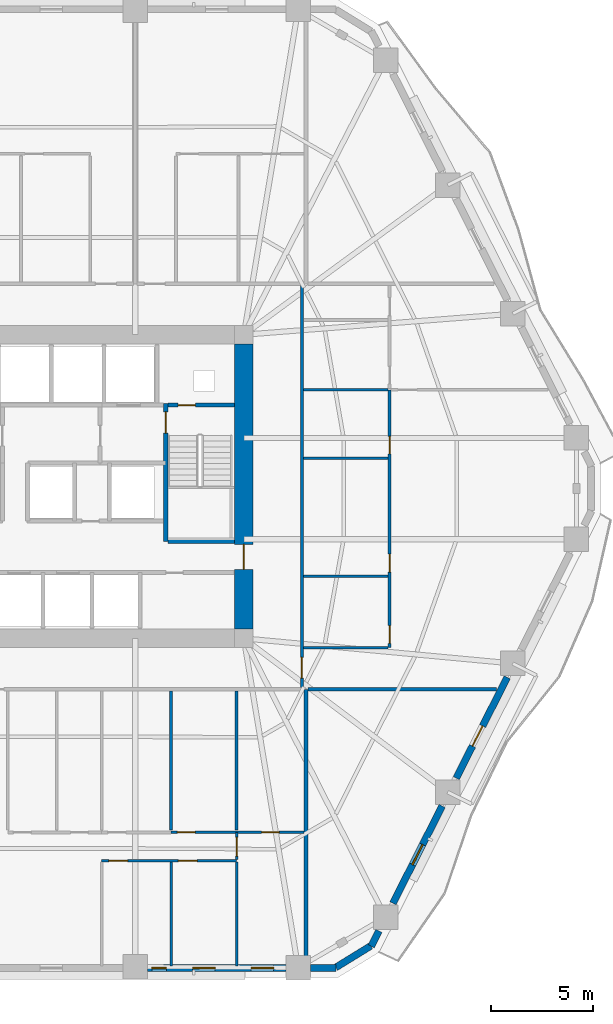
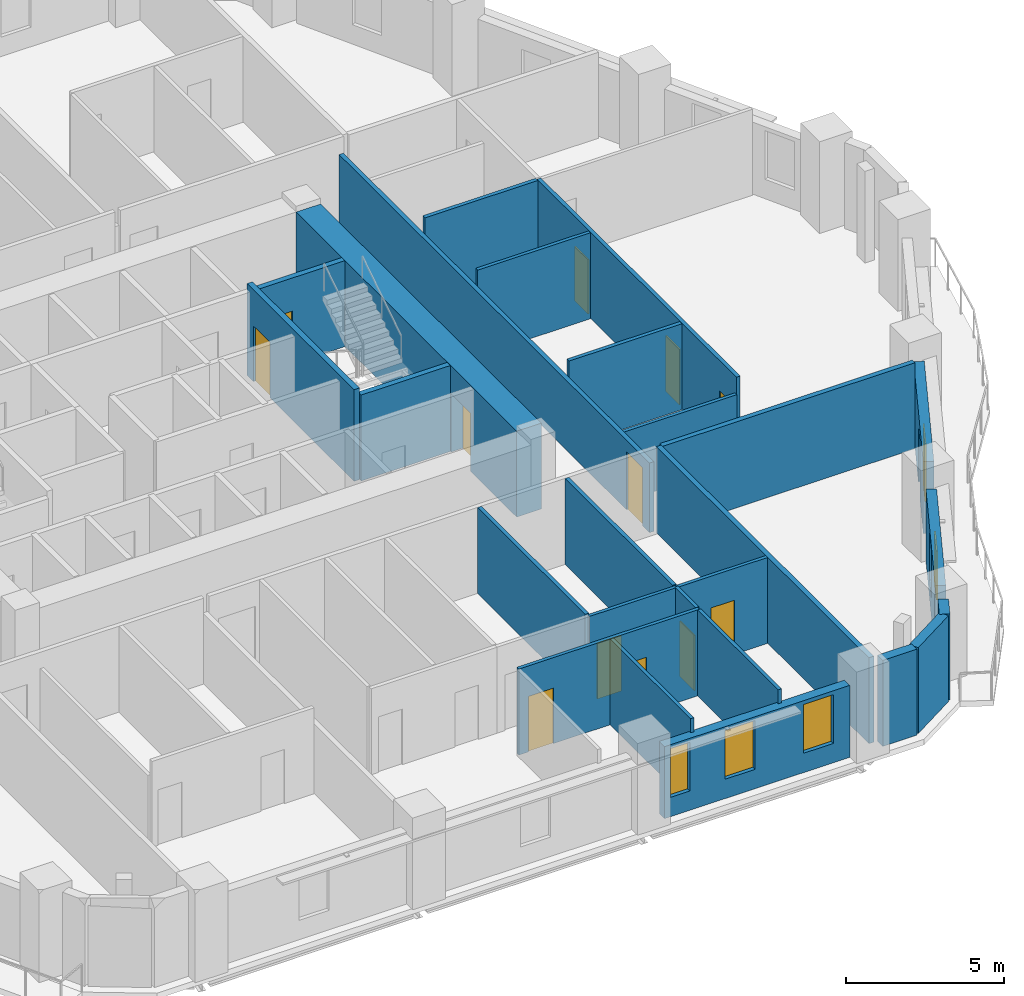
# One storey, part 6 of 14: 25 walls, 13 doors, 4 windows, 17 openings.
"""IFC4 building model written with IfcOpenShell, lengths in metres."""

from ifc_helpers import new_model, si_unit, direction, frame, frame_2d, origin, place, context, subcontext, project, spatial, rectangle, extrude, material, layer, layer_set, type_object, element, fill, save


model = new_model("IFC4")

# Units and contexts
model_context = context("Model", 3, precision=1e-05, world=origin(), true_north=direction((0.0, 1.0)))
body_context = subcontext(model_context, "Body", "Model", "MODEL_VIEW")
ifc_project = project(units=[si_unit("LENGTHUNIT", "METRE"), si_unit("AREAUNIT", "SQUARE_METRE"), si_unit("VOLUMEUNIT", "CUBIC_METRE"), si_unit("PLANEANGLEUNIT", "RADIAN"), si_unit("MASSUNIT", "GRAM", prefix="KILO")], contexts=[model_context])

# Site, building, storey
site_placement = place(None, origin())
site = spatial("IfcSite", under=ifc_project, at=site_placement, CompositionType="ELEMENT")
building_placement = place(site_placement, origin())
building = spatial("IfcBuilding", under=site, at=building_placement, Name="Cinnabar Lancet Tower", CompositionType="ELEMENT")
storey_placement = place(building_placement, frame((0.0, 0.0, 35.550048828125)))
storey = spatial("IfcBuildingStorey", under=building, at=storey_placement, Name="L08", CompositionType="ELEMENT", Elevation=35.550048828125)

# Wall, opening, door
ifc_material_1 = material(Name="Acoustic twin-stud gypsum partition", Category="gypsum")
ifc_layer_1 = layer(ifc_material_1, 0.159912109375)
ifc_layer_set_1 = layer_set([ifc_layer_1], Name="Acoustic twin-stud gypsum partition")
wall_type_1 = type_object("IfcWallType", Name="ARC-WL-CORR-160", PredefinedType="PARTITIONING", material=ifc_layer_set_1)
wall_1_placement = place(storey_placement, frame((44.699951171875, 16.044921875, 0.0), z_axis=(0.0, 0.0, 1.0), x_axis=(0.0, 1.0, 0.0)))
wall_1 = element("IfcWall", 1, at=wall_1_placement, inside=storey, type_object=wall_type_1, Name="UW-L08-E01-COR", PredefinedType="PARTITIONING", context=body_context, shape_type="SweptSolid", body=[
    extrude(rectangle(XDim=19.7099609375, YDim=0.159912109375, at=frame_2d((9.85498046875, 0.0))), origin(), (0.0, 0.0, 1.0), 2.699951171875),
])
opening_1_placement = place(wall_1_placement, frame((0.449951171875, 0.0, 0.0)))
opening_1 = element("IfcOpeningElement", 2, at=opening_1_placement, cuts=wall_1, Name="Opening UD-01", PredefinedType="OPENING", context=body_context, shape_type="SweptSolid", body=[
    extrude(rectangle(XDim=1.02001953125, YDim=2.25, at=frame_2d((0.510009765625, 1.125))), frame((0.0, 0.08984375, 0.0), z_axis=(0.0, -1.0, 0.0), x_axis=(1.0, 0.0, 0.0)), (0.0, 0.0, 1.0), 0.179931640625),
])
ifc_material_2 = material(Name="Solid timber fire-rated apartment entrance door", Category="wood")
door_type_1 = type_object("IfcDoorType", Name="ARC-DR-UNIT", OperationType="NOTDEFINED", PredefinedType="DOOR", material=ifc_material_2)
door_1_placement = place(opening_1_placement, origin())
door_1 = element("IfcDoor", 3, at=door_1_placement, inside=storey, type_object=door_type_1, Name="DR-L08-E01-ENT", OperationType="SINGLE_SWING_LEFT", OverallHeight=2.25, OverallWidth=1.02001953125, PredefinedType="DOOR", context=body_context, shape_type="SweptSolid", body=[
    extrude(rectangle(XDim=1.02001953125, YDim=2.25, at=frame_2d((0.510009765625, 1.125))), frame((0.0, 0.02490234375, 0.0), z_axis=(0.0, -1.0, 0.0), x_axis=(1.0, 0.0, 0.0)), (0.0, 0.0, 1.0), 0.050048828125),
])
fill(opening_1, door_1)

# Walls
ifc_material_3 = material(Name="Fire-rated twin-frame acoustic drywall", Category="gypsum")
ifc_layer_2 = layer(ifc_material_3, 0.179931640625)
ifc_layer_set_2 = layer_set([ifc_layer_2], Name="Fire-rated twin-frame acoustic drywall")
wall_type_2 = type_object("IfcWallType", Name="ARC-WL-PARTY-180", PredefinedType="PARTITIONING", material=ifc_layer_set_2)
wall_2_placement = place(storey_placement, frame((44.89990234375, 2.455078125, 0.0), z_axis=(0.0, 0.0, 1.0), x_axis=(0.0, 1.0, 0.0)))
element("IfcWall", 4, at=wall_2_placement, inside=storey, type_object=wall_type_2, Name="PW-L08-SPTY-449", PredefinedType="PARTITIONING", context=body_context, shape_type="SweptSolid", body=[
    extrude(rectangle(XDim=13.494873046875, YDim=0.179931640625, at=frame_2d((6.74755859375, 0.0))), origin(), (0.0, 0.0, 1.0), 3.329833984375),
])
wall_3_placement = place(storey_placement, frame((44.9951171875, 15.949951171875, 0.0), z_axis=(0.0, 0.0, 1.0), x_axis=(1.0, 0.0, 0.0)))
element("IfcWall", 5, at=wall_3_placement, inside=storey, type_object=wall_type_2, Name="PW-L08-ESB", PredefinedType="PARTITIONING", context=body_context, shape_type="SweptSolid", body=[
    extrude(rectangle(XDim=9.240966796875, YDim=0.179931640625, at=frame_2d((4.62060546875, 0.0))), origin(), (0.0, 0.0, 1.0), 3.329833984375),
])
ifc_material_4 = material(Name="Autoclaved aerated concrete blockwork", Category="masonry")
ifc_layer_3 = layer(ifc_material_4, 0.199951171875)
ifc_layer_set_3 = layer_set([ifc_layer_3], Name="Autoclaved aerated concrete blockwork")
wall_type_3 = type_object("IfcWallType", Name="ARC-WL-SHAFT-200", PredefinedType="PLUMBINGWALL", material=ifc_layer_set_3)
wall_4_placement = place(storey_placement, frame((38.125, 23.199951171875, 0.0), z_axis=(0.0, 0.0, 1.0), x_axis=(1.0, 0.0, 0.0)))
element("IfcWall", 6, at=wall_4_placement, inside=storey, type_object=wall_type_3, Name="CW-ST2S-L08", PredefinedType="PLUMBINGWALL", context=body_context, shape_type="SweptSolid", body=[
    extrude(rectangle(XDim=3.27001953125, YDim=0.199951171875, at=frame_2d((1.635009765625, 0.0))), origin(), (0.0, 0.0, 1.0), 3.329833984375),
])

# Wall, opening, door
wall_5_placement = place(storey_placement, frame((38.125, 29.89990234375, 0.0), z_axis=(0.0, 0.0, 1.0), x_axis=(1.0, 0.0, 0.0)))
wall_5 = element("IfcWall", 7, at=wall_5_placement, inside=storey, type_object=wall_type_3, Name="CW-NSH-E-L08", PredefinedType="PLUMBINGWALL", context=body_context, shape_type="SweptSolid", body=[
    extrude(rectangle(XDim=3.27001953125, YDim=0.199951171875, at=frame_2d((1.635009765625, 0.0))), origin(), (0.0, 0.0, 1.0), 3.329833984375),
])
opening_2_placement = place(wall_5_placement, frame((0.5, 0.0, 0.0)))
opening_2 = element("IfcOpeningElement", 8, at=opening_2_placement, cuts=wall_5, Name="Opening PD-02", PredefinedType="OPENING", context=body_context, shape_type="SweptSolid", body=[
    extrude(rectangle(XDim=0.85009765625, YDim=2.050048828125, at=frame_2d((0.425048828125, 1.02490234375))), frame((0.0, 0.10986328125, 0.0), z_axis=(0.0, -1.0, 0.0), x_axis=(1.0, 0.0, 0.0)), (0.0, 0.0, 1.0), 0.219970703125),
])
ifc_material_5 = material(Name="Fire-rated steel riser access door", Category="steel")
door_type_2 = type_object("IfcDoorType", Name="ARC-DR-RISER", OperationType="NOTDEFINED", PredefinedType="DOOR", material=ifc_material_5)
door_2_placement = place(opening_2_placement, origin())
door_2 = element("IfcDoor", 9, at=door_2_placement, inside=storey, type_object=door_type_2, Name="L08 East Riser Access Door", OperationType="SINGLE_SWING_RIGHT", OverallHeight=2.050048828125, OverallWidth=0.85009765625, PredefinedType="DOOR", context=body_context, shape_type="SweptSolid", body=[
    extrude(rectangle(XDim=0.85009765625, YDim=2.050048828125, at=frame_2d((0.425048828125, 1.02490234375))), frame((0.0, 0.02490234375, 0.0), z_axis=(0.0, -1.0, 0.0), x_axis=(1.0, 0.0, 0.0)), (0.0, 0.0, 1.0), 0.050048828125),
])
fill(opening_2, door_2)

# Wall, openings, doors
ifc_material_6 = material(Name="Gypsum plasterboard stud partition", Category="gypsum")
ifc_layer_4 = layer(ifc_material_6, 0.125)
ifc_layer_set_4 = layer_set([ifc_layer_4], Name="Gypsum plasterboard stud partition")
wall_type_4 = type_object("IfcWallType", Name="ARC-WL-UNIT-125", PredefinedType="PARTITIONING", material=ifc_layer_set_4)
wall_6_placement = place(storey_placement, frame((38.284912109375, 8.93310546875, 0.0), z_axis=(0.0, 0.0, 1.0), x_axis=(1.0, 0.0, 0.0)))
wall_6 = element("IfcWall", 10, at=wall_6_placement, inside=storey, type_object=wall_type_4, Name="UW-L08-S02-SP2", PredefinedType="PARTITIONING", context=body_context, shape_type="SweptSolid", body=[
    extrude(rectangle(XDim=6.52001953125, YDim=0.125, at=frame_2d((3.260009765625, 0.0))), origin(), (0.0, 0.0, 1.0), 3.329833984375),
])
opening_3_placement = place(wall_6_placement, frame((4.43896484375, 0.0, 0.0)))
opening_3 = element("IfcOpeningElement", 11, at=opening_3_placement, cuts=wall_6, Name="Opening BD-01", PredefinedType="OPENING", context=body_context, shape_type="SweptSolid", body=[
    extrude(rectangle(XDim=0.860107421875, YDim=2.10009765625, at=frame_2d((0.43017578125, 1.050048828125))), frame((0.0, 0.072509765625, 0.0), z_axis=(0.0, -1.0, 0.0), x_axis=(1.0, 0.0, 0.0)), (0.0, 0.0, 1.0), 0.14501953125),
])
opening_4_placement = place(wall_6_placement, frame((0.300048828125, 0.0, 0.0)))
opening_4 = element("IfcOpeningElement", 12, at=opening_4_placement, cuts=wall_6, Name="Opening RD-02", PredefinedType="OPENING", context=body_context, shape_type="SweptSolid", body=[
    extrude(rectangle(XDim=0.8798828125, YDim=2.14990234375, at=frame_2d((0.43994140625, 1.074951171875))), frame((0.0, 0.072509765625, 0.0), z_axis=(0.0, -1.0, 0.0), x_axis=(1.0, 0.0, 0.0)), (0.0, 0.0, 1.0), 0.14501953125),
])
ifc_material_7 = material(Name="Moisture-resistant timber bathroom door", Category="wood")
door_type_3 = type_object("IfcDoorType", Name="ARC-DR-BATH", OperationType="NOTDEFINED", PredefinedType="DOOR", material=ifc_material_7)
door_3_placement = place(opening_3_placement, origin())
door_3 = element("IfcDoor", 13, at=door_3_placement, inside=storey, type_object=door_type_3, Name="DR-L08-S02-ENS", OperationType="SINGLE_SWING_RIGHT", OverallHeight=2.10009765625, OverallWidth=0.860107421875, PredefinedType="DOOR", context=body_context, shape_type="SweptSolid", body=[
    extrude(rectangle(XDim=0.860107421875, YDim=2.10009765625, at=frame_2d((0.43017578125, 1.050048828125))), frame((0.0, 0.02490234375, 0.0), z_axis=(0.0, -1.0, 0.0), x_axis=(1.0, 0.0, 0.0)), (0.0, 0.0, 1.0), 0.050048828125),
])
fill(opening_3, door_3)
ifc_material_8 = material(Name="Engineered timber study door", Category="wood")
door_type_4 = type_object("IfcDoorType", Name="ARC-DR-STUDY", OperationType="NOTDEFINED", PredefinedType="DOOR", material=ifc_material_8)
door_4_placement = place(opening_4_placement, origin())
door_4 = element("IfcDoor", 14, at=door_4_placement, inside=storey, type_object=door_type_4, Name="DR-L08-S02-DRS", OperationType="SINGLE_SWING_LEFT", OverallHeight=2.14990234375, OverallWidth=0.8798828125, PredefinedType="DOOR", context=body_context, shape_type="SweptSolid", body=[
    extrude(rectangle(XDim=0.8798828125, YDim=2.14990234375, at=frame_2d((0.43994140625, 1.074951171875))), frame((0.0, 0.02490234375, 0.0), z_axis=(0.0, -1.0, 0.0), x_axis=(1.0, 0.0, 0.0)), (0.0, 0.0, 1.0), 0.050048828125),
])
fill(opening_4, door_4)

wall_7_placement = place(storey_placement, frame((34.8779296875, 7.532958984375, 0.0), z_axis=(0.0, 0.0, 1.0), x_axis=(1.0, 0.0, 0.0)))
wall_7 = element("IfcWall", 15, at=wall_7_placement, inside=storey, type_object=wall_type_4, Name="UW-L08-S02-HLN", PredefinedType="PARTITIONING", context=body_context, shape_type="SweptSolid", body=[
    extrude(rectangle(XDim=6.614990234375, YDim=0.125, at=frame_2d((3.3076171875, 0.0))), origin(), (0.0, 0.0, 1.0), 3.329833984375),
])
opening_5_placement = place(wall_7_placement, frame((0.35009765625, 0.0, 0.0)))
opening_5 = element("IfcOpeningElement", 16, at=opening_5_placement, cuts=wall_7, Name="Opening RD-01", PredefinedType="OPENING", context=body_context, shape_type="SweptSolid", body=[
    extrude(rectangle(XDim=0.919921875, YDim=2.14990234375, at=frame_2d((0.4599609375, 1.074951171875))), frame((0.0, 0.072509765625, 0.0), z_axis=(0.0, -1.0, 0.0), x_axis=(1.0, 0.0, 0.0)), (0.0, 0.0, 1.0), 0.14501953125),
])
opening_6_placement = place(wall_7_placement, frame((3.757080078125, 0.0, 0.0)))
opening_6 = element("IfcOpeningElement", 17, at=opening_6_placement, cuts=wall_7, Name="Opening RD-01", PredefinedType="OPENING", context=body_context, shape_type="SweptSolid", body=[
    extrude(rectangle(XDim=0.919921875, YDim=2.14990234375, at=frame_2d((0.4599609375, 1.074951171875))), frame((0.0, 0.072509765625, 0.0), z_axis=(0.0, -1.0, 0.0), x_axis=(1.0, 0.0, 0.0)), (0.0, 0.0, 1.0), 0.14501953125),
])
ifc_material_9 = material(Name="Engineered timber bedroom door", Category="wood")
door_type_5 = type_object("IfcDoorType", Name="ARC-DR-ROOM", OperationType="NOTDEFINED", PredefinedType="DOOR", material=ifc_material_9)
door_5_placement = place(opening_5_placement, origin())
door_5 = element("IfcDoor", 18, at=door_5_placement, inside=storey, type_object=door_type_5, Name="DR-L08-S02-BD2", OperationType="SINGLE_SWING_RIGHT", OverallHeight=2.14990234375, OverallWidth=0.919921875, PredefinedType="DOOR", context=body_context, shape_type="SweptSolid", body=[
    extrude(rectangle(XDim=0.919921875, YDim=2.14990234375, at=frame_2d((0.4599609375, 1.074951171875))), frame((0.0, 0.02490234375, 0.0), z_axis=(0.0, -1.0, 0.0), x_axis=(1.0, 0.0, 0.0)), (0.0, 0.0, 1.0), 0.050048828125),
])
fill(opening_5, door_5)
door_6_placement = place(opening_6_placement, origin())
door_6 = element("IfcDoor", 19, at=door_6_placement, inside=storey, type_object=door_type_5, Name="DR-L08-S02-BD3", OperationType="SINGLE_SWING_LEFT", OverallHeight=2.14990234375, OverallWidth=0.919921875, PredefinedType="DOOR", context=body_context, shape_type="SweptSolid", body=[
    extrude(rectangle(XDim=0.919921875, YDim=2.14990234375, at=frame_2d((0.4599609375, 1.074951171875))), frame((0.0, 0.02490234375, 0.0), z_axis=(0.0, -1.0, 0.0), x_axis=(1.0, 0.0, 0.0)), (0.0, 0.0, 1.0), 0.050048828125),
])
fill(opening_6, door_6)

# Wall, opening, door
wall_8_placement = place(storey_placement, frame((41.492919921875, 7.60302734375, 0.0), z_axis=(0.0, 0.0, 1.0), x_axis=(0.0, 1.0, 0.0)))
wall_8 = element("IfcWall", 20, at=wall_8_placement, inside=storey, type_object=wall_type_4, Name="UW-L08-S02-MBE", PredefinedType="PARTITIONING", context=body_context, shape_type="SweptSolid", body=[
    extrude(rectangle(XDim=1.330078125, YDim=0.125, at=frame_2d((0.6650390625, 0.0))), origin(), (0.0, 0.0, 1.0), 3.329833984375),
])
opening_7_placement = place(wall_8_placement, frame((0.159912109375, 0.0, 0.0)))
opening_7 = element("IfcOpeningElement", 21, at=opening_7_placement, cuts=wall_8, Name="Opening RD-01", PredefinedType="OPENING", context=body_context, shape_type="SweptSolid", body=[
    extrude(rectangle(XDim=0.919921875, YDim=2.14990234375, at=frame_2d((0.4599609375, 1.074951171875))), frame((0.0, 0.072509765625, 0.0), z_axis=(0.0, -1.0, 0.0), x_axis=(1.0, 0.0, 0.0)), (0.0, 0.0, 1.0), 0.14501953125),
])
door_7_placement = place(opening_7_placement, origin())
door_7 = element("IfcDoor", 22, at=door_7_placement, inside=storey, type_object=door_type_5, Name="DR-L08-S02-MBD", OperationType="SINGLE_SWING_RIGHT", OverallHeight=2.14990234375, OverallWidth=0.919921875, PredefinedType="DOOR", context=body_context, shape_type="SweptSolid", body=[
    extrude(rectangle(XDim=0.919921875, YDim=2.14990234375, at=frame_2d((0.4599609375, 1.074951171875))), frame((0.0, 0.02490234375, 0.0), z_axis=(0.0, -1.0, 0.0), x_axis=(1.0, 0.0, 0.0)), (0.0, 0.0, 1.0), 0.050048828125),
])
fill(opening_7, door_7)

# Walls
for number, where, z_axis, x_axis, name in (
    (23, (38.284912109375, 2.364990234375, 0.0), (0.0, 0.0, 1.0), (0.0, 1.0, 0.0), "UW-L08-S02-MB2W"),
    (24, (41.492919921875, 2.364990234375, 0.0), (0.0, 0.0, 1.0), (0.0, 1.0, 0.0), "UW-L08-S02-B23W"),
):
    element("IfcWall", number, at=place(storey_placement, frame(where, z_axis=z_axis, x_axis=x_axis)), inside=storey, type_object=wall_type_4, Name=name, PredefinedType="PARTITIONING", context=body_context, shape_type="SweptSolid", body=[
        extrude(rectangle(XDim=5.10302734375, YDim=0.125, at=frame_2d((2.551513671875, 0.0))), origin(), (0.0, 0.0, 1.0), 3.329833984375),
    ])
wall_9_placement = place(storey_placement, frame((44.784912109375, 18.0, 0.0), z_axis=(0.0, 0.0, 1.0), x_axis=(1.0, 0.0, 0.0)))
element("IfcWall", 25, at=wall_9_placement, inside=storey, type_object=wall_type_4, Name="UW-L08-E01-FOYN", PredefinedType="PARTITIONING", context=body_context, shape_type="SweptSolid", body=[
    extrude(rectangle(XDim=4.130126953125, YDim=0.125, at=frame_2d((2.06494140625, 0.0))), origin(), (0.0, 0.0, 1.0), 2.699951171875),
])
wall_10_placement = place(storey_placement, frame((44.784912109375, 27.299072265625, 0.0), z_axis=(0.0, 0.0, 1.0), x_axis=(1.0, 0.0, 0.0)))
element("IfcWall", 26, at=wall_10_placement, inside=storey, type_object=wall_type_4, Name="UW-L08-E01-UDV", PredefinedType="PARTITIONING", context=body_context, shape_type="SweptSolid", body=[
    extrude(rectangle(XDim=4.130126953125, YDim=0.125, at=frame_2d((2.06494140625, 0.0))), origin(), (0.0, 0.0, 1.0), 3.329833984375),
])
ifc_material_10 = material(Name="Moisture-resistant cement-board plumbing wall", Category="masonry")
ifc_layer_5 = layer(ifc_material_10, 0.139892578125)
ifc_layer_set_5 = layer_set([ifc_layer_5], Name="Moisture-resistant cement-board plumbing wall")
wall_type_5 = type_object("IfcWallType", Name="ARC-WL-WET-140", PredefinedType="PLUMBINGWALL", material=ifc_layer_set_5)
for number, where, z_axis, x_axis, name in (
    (27, (38.284912109375, 9.0380859375, 0.0), (0.0, 0.0, 1.0), (0.0, 1.0, 0.0), "UW-L08-S02-ENSE"),
    (28, (41.492919921875, 9.0380859375, 0.0), (0.0, 0.0, 1.0), (0.0, 1.0, 0.0), "UW-L08-S02-UT3"),
):
    element("IfcWall", number, at=place(storey_placement, frame(where, z_axis=z_axis, x_axis=x_axis)), inside=storey, type_object=wall_type_5, Name=name, PredefinedType="PLUMBINGWALL", context=body_context, shape_type="SweptSolid", body=[
        extrude(rectangle(XDim=6.826904296875, YDim=0.139892578125, at=frame_2d((3.41357421875, 0.0))), origin(), (0.0, 0.0, 1.0), 3.329833984375),
    ])

# Wall, openings, doors
wall_11_placement = place(storey_placement, frame((49.0, 18.0, 0.0), z_axis=(0.0, 0.0, 1.0), x_axis=(0.0, 1.0, 0.0)))
wall_11 = element("IfcWall", 29, at=wall_11_placement, inside=storey, type_object=wall_type_5, Name="UW-L08-E01-SPL", PredefinedType="PLUMBINGWALL", context=body_context, shape_type="SweptSolid", body=[
    extrude(rectangle(XDim=12.64892578125, YDim=0.139892578125, at=frame_2d((6.324462890625, 0.0))), origin(), (0.0, 0.0, 1.0), 3.329833984375),
])
opening_8_placement = place(wall_11_placement, frame((0.199951171875, 0.0, 0.0)))
opening_8 = element("IfcOpeningElement", 30, at=opening_8_placement, cuts=wall_11, Name="Opening RD-02", PredefinedType="OPENING", context=body_context, shape_type="SweptSolid", body=[
    extrude(rectangle(XDim=0.8798828125, YDim=2.14990234375, at=frame_2d((0.43994140625, 1.074951171875))), frame((0.0, 0.079833984375, 0.0), z_axis=(0.0, -1.0, 0.0), x_axis=(1.0, 0.0, 0.0)), (0.0, 0.0, 1.0), 0.159912109375),
])
opening_9_placement = place(wall_11_placement, frame((3.699951171875, 0.0, 0.0)))
opening_9 = element("IfcOpeningElement", 31, at=opening_9_placement, cuts=wall_11, Name="Opening RD-02", PredefinedType="OPENING", context=body_context, shape_type="SweptSolid", body=[
    extrude(rectangle(XDim=0.8798828125, YDim=2.14990234375, at=frame_2d((0.43994140625, 1.074951171875))), frame((0.0, 0.079833984375, 0.0), z_axis=(0.0, -1.0, 0.0), x_axis=(1.0, 0.0, 0.0)), (0.0, 0.0, 1.0), 0.159912109375),
])
opening_10_placement = place(wall_11_placement, frame((9.4990234375, 0.0, 0.0)))
opening_10 = element("IfcOpeningElement", 32, at=opening_10_placement, cuts=wall_11, Name="Opening BD-01", PredefinedType="OPENING", context=body_context, shape_type="SweptSolid", body=[
    extrude(rectangle(XDim=0.860107421875, YDim=2.10009765625, at=frame_2d((0.43017578125, 1.050048828125))), frame((0.0, 0.079833984375, 0.0), z_axis=(0.0, -1.0, 0.0), x_axis=(1.0, 0.0, 0.0)), (0.0, 0.0, 1.0), 0.159912109375),
])
door_8_placement = place(opening_10_placement, origin())
door_8 = element("IfcDoor", 33, at=door_8_placement, inside=storey, type_object=door_type_3, Name="DR-L08-E01-BTH", OperationType="SINGLE_SWING_RIGHT", OverallHeight=2.10009765625, OverallWidth=0.860107421875, PredefinedType="DOOR", context=body_context, shape_type="SweptSolid", body=[
    extrude(rectangle(XDim=0.860107421875, YDim=2.10009765625, at=frame_2d((0.43017578125, 1.050048828125))), frame((0.0, 0.02490234375, 0.0), z_axis=(0.0, -1.0, 0.0), x_axis=(1.0, 0.0, 0.0)), (0.0, 0.0, 1.0), 0.050048828125),
])
fill(opening_10, door_8)
door_9_placement = place(opening_8_placement, origin())
door_9 = element("IfcDoor", 34, at=door_9_placement, inside=storey, type_object=door_type_4, Name="DR-L08-E01-KIT", OperationType="SINGLE_SWING_RIGHT", OverallHeight=2.14990234375, OverallWidth=0.8798828125, PredefinedType="DOOR", context=body_context, shape_type="SweptSolid", body=[
    extrude(rectangle(XDim=0.8798828125, YDim=2.14990234375, at=frame_2d((0.43994140625, 1.074951171875))), frame((0.0, 0.02490234375, 0.0), z_axis=(0.0, -1.0, 0.0), x_axis=(1.0, 0.0, 0.0)), (0.0, 0.0, 1.0), 0.050048828125),
])
fill(opening_8, door_9)
door_10_placement = place(opening_9_placement, origin())
door_10 = element("IfcDoor", 35, at=door_10_placement, inside=storey, type_object=door_type_4, Name="DR-L08-E01-UTL", OperationType="SINGLE_SWING_LEFT", OverallHeight=2.14990234375, OverallWidth=0.8798828125, PredefinedType="DOOR", context=body_context, shape_type="SweptSolid", body=[
    extrude(rectangle(XDim=0.8798828125, YDim=2.14990234375, at=frame_2d((0.43994140625, 1.074951171875))), frame((0.0, 0.02490234375, 0.0), z_axis=(0.0, -1.0, 0.0), x_axis=(1.0, 0.0, 0.0)), (0.0, 0.0, 1.0), 0.050048828125),
])
fill(opening_9, door_10)

# Walls
for number, where, z_axis, x_axis, name in (
    (36, (44.784912109375, 30.64892578125, 0.0), (0.0, 0.0, 1.0), (1.0, 0.0, 0.0), "UW-L08-E01-ENSN"),
    (37, (44.784912109375, 21.5, 0.0), (0.0, 0.0, 1.0), (1.0, 0.0, 0.0), "UW-L08-E01-KDV"),
):
    element("IfcWall", number, at=place(storey_placement, frame(where, z_axis=z_axis, x_axis=x_axis)), inside=storey, type_object=wall_type_5, Name=name, PredefinedType="PLUMBINGWALL", context=body_context, shape_type="SweptSolid", body=[
        extrude(rectangle(XDim=4.130126953125, YDim=0.139892578125, at=frame_2d((2.06494140625, 0.0))), origin(), (0.0, 0.0, 1.0), 3.329833984375),
    ])
ifc_material_11 = material(Name="Cinnabar red clay brick", Category="masonry")
ifc_layer_6 = layer(ifc_material_11, 0.340087890625)
ifc_layer_set_6 = layer_set([ifc_layer_6], Name="Cinnabar red clay brick")
wall_type_6 = type_object("IfcWallType", Name="ENV-WL-BRK-RED-340", PredefinedType="STANDARD", material=ifc_layer_set_6)
wall_12_placement = place(storey_placement, frame((46.361083984375, 2.304931640625, 0.0), z_axis=(0.0, 0.0, 1.0), x_axis=(0.851816122478, 0.523840904748, 0.0)))
element("IfcWall", 38, at=wall_12_placement, inside=storey, type_object=wall_type_6, Name="L08 Chamfered Corner Brick Pier 2.1", PredefinedType="STANDARD", context=body_context, shape_type="SweptSolid", body=[
    extrude(rectangle(XDim=2.01806640625, YDim=0.340087890625, at=frame_2d((1.009033203125, 0.0))), origin(), (0.0, 0.0, 1.0), 3.329833984375),
])

# Wall, openings, windows
wall_13_placement = place(storey_placement, frame((37.1259765625, 2.280029296875, 0.0), z_axis=(0.0, 0.0, 1.0), x_axis=(1.0, 0.0, 0.0)))
wall_13 = element("IfcWall", 39, at=wall_13_placement, inside=storey, type_object=wall_type_6, Name="L08 Face 1 Masonry Bay Wall 4", PredefinedType="STANDARD", context=body_context, shape_type="SweptSolid", body=[
    extrude(rectangle(XDim=6.787109375, YDim=0.340087890625, at=frame_2d((3.3935546875, 0.0))), origin(), (0.0, 0.0, 1.0), 2.786865234375),
])
opening_11_placement = place(wall_13_placement, frame((2.212890625, 0.0, 0.75)))
opening_11 = element("IfcOpeningElement", 40, at=opening_11_placement, cuts=wall_13, Name="Opening WN-04", PredefinedType="OPENING", context=body_context, shape_type="SweptSolid", body=[
    extrude(rectangle(XDim=1.10009765625, YDim=1.886962890625, at=frame_2d((0.550048828125, 0.943359375))), frame((0.0, 0.179931640625, 0.0), z_axis=(0.0, -1.0, 0.0), x_axis=(1.0, 0.0, 0.0)), (0.0, 0.0, 1.0), 0.360107421875),
])
opening_12_placement = place(wall_13_placement, frame((5.0830078125, 0.0, 0.75)))
opening_12 = element("IfcOpeningElement", 41, at=opening_12_placement, cuts=wall_13, Name="Opening WN-04", PredefinedType="OPENING", context=body_context, shape_type="SweptSolid", body=[
    extrude(rectangle(XDim=1.10009765625, YDim=1.886962890625, at=frame_2d((0.550048828125, 0.943359375))), frame((0.0, 0.179931640625, 0.0), z_axis=(0.0, -1.0, 0.0), x_axis=(1.0, 0.0, 0.0)), (0.0, 0.0, 1.0), 0.360107421875),
])
opening_13_placement = place(wall_13_placement, frame((0.2099609375, 0.0, 0.75)))
opening_13 = element("IfcOpeningElement", 42, at=opening_13_placement, cuts=wall_13, Name="Opening WN-04", PredefinedType="OPENING", context=body_context, shape_type="SweptSolid", body=[
    extrude(rectangle(XDim=0.716064453125, YDim=1.886962890625, at=frame_2d((0.35791015625, 0.943359375))), frame((0.0, 0.179931640625, 0.0), z_axis=(0.0, -1.0, 0.0), x_axis=(1.0, 0.0, 0.0)), (0.0, 0.0, 1.0), 0.360107421875),
])
ifc_material_12 = material(Name="Thermally broken bronze-anodized aluminium tall lancet window", Category="aluminium")
window_type = type_object("IfcWindowType", Name="ENV-WN-LANCET-1100", PartitioningType="SINGLE_PANEL", PredefinedType="WINDOW", material=ifc_material_12)
window_1_placement = place(opening_11_placement, origin())
window_1 = element("IfcWindow", 43, at=window_1_placement, inside=storey, type_object=window_type, Name="L08 Face 1 Gothic Lancet Window 4", OverallHeight=1.886962890625, OverallWidth=1.10009765625, PartitioningType="SINGLE_PANEL", PredefinedType="WINDOW", context=body_context, shape_type="SweptSolid", body=[
    extrude(rectangle(XDim=1.10009765625, YDim=1.886962890625, at=frame_2d((0.550048828125, 0.943359375))), frame((0.0, 0.030029296875, 0.0), z_axis=(0.0, -1.0, 0.0), x_axis=(1.0, 0.0, 0.0)), (0.0, 0.0, 1.0), 0.06005859375),
])
fill(opening_11, window_1)
window_2_placement = place(opening_12_placement, origin())
window_2 = element("IfcWindow", 44, at=window_2_placement, inside=storey, type_object=window_type, Name="L08 Split-Bay Gothic Lancet Window 12", OverallHeight=1.886962890625, OverallWidth=1.10009765625, PartitioningType="SINGLE_PANEL", PredefinedType="WINDOW", context=body_context, shape_type="SweptSolid", body=[
    extrude(rectangle(XDim=1.10009765625, YDim=1.886962890625, at=frame_2d((0.550048828125, 0.943359375))), frame((0.0, 0.030029296875, 0.0), z_axis=(0.0, -1.0, 0.0), x_axis=(1.0, 0.0, 0.0)), (0.0, 0.0, 1.0), 0.06005859375),
])
fill(opening_12, window_2)
window_3_placement = place(opening_13_placement, origin())
window_3 = element("IfcWindow", 45, at=window_3_placement, inside=storey, type_object=window_type, Name="L08 Dwelling Gothic Lancet Window 300", OverallHeight=1.886962890625, OverallWidth=0.716064453125, PartitioningType="SINGLE_PANEL", PredefinedType="WINDOW", context=body_context, shape_type="SweptSolid", body=[
    extrude(rectangle(XDim=0.716064453125, YDim=1.886962890625, at=frame_2d((0.35791015625, 0.943359375))), frame((0.0, 0.030029296875, 0.0), z_axis=(0.0, -1.0, 0.0), x_axis=(1.0, 0.0, 0.0)), (0.0, 0.0, 1.0), 0.06005859375),
])
fill(opening_13, window_3)

# Walls
wall_14_placement = place(storey_placement, frame((45.12109375, 2.280029296875, 0.0), z_axis=(0.0, 0.0, 1.0), x_axis=(1.0, 0.0, 0.0)))
element("IfcWall", 46, at=wall_14_placement, inside=storey, type_object=wall_type_6, Name="L08 Face 1 Masonry Bay Wall 5", PredefinedType="STANDARD", context=body_context, shape_type="SweptSolid", body=[
    extrude(rectangle(XDim=1.244873046875, YDim=0.340087890625, at=frame_2d((0.62255859375, 0.0))), origin(), (0.0, 0.0, 1.0), 3.329833984375),
])
wall_15_placement = place(storey_placement, frame((48.10009765625, 3.345947265625, 0.0), z_axis=(0.0, 0.0, 1.0), x_axis=(0.45187807258, 0.892079709175, 0.0)))
element("IfcWall", 47, at=wall_15_placement, inside=storey, type_object=wall_type_6, Name="L08 Face 2 Masonry Bay Wall 1", PredefinedType="STANDARD", context=body_context, shape_type="SweptSolid", body=[
    extrude(rectangle(XDim=0.83642578125, YDim=0.340087890625, at=frame_2d((0.418212890625, 0.0))), origin(), (0.0, 0.0, 1.0), 3.329833984375),
])

# Wall, opening, window
wall_16_placement = place(storey_placement, frame((49.166015625, 5.4541015625, 0.0), z_axis=(0.0, 0.0, 1.0), x_axis=(0.451697561555, 0.892171123095, 0.0)))
wall_16 = element("IfcWall", 48, at=wall_16_placement, inside=storey, type_object=wall_type_6, Name="L08 Face 2 Masonry Bay Wall 2", PredefinedType="STANDARD", context=body_context, shape_type="SweptSolid", body=[
    extrude(rectangle(XDim=5.350830078125, YDim=0.340087890625, at=frame_2d((2.67529296875, 0.0))), origin(), (0.0, 0.0, 1.0), 2.786865234375),
])
opening_14_placement = place(wall_16_placement, frame((2.125, 0.0, 0.75)))
opening_14 = element("IfcOpeningElement", 49, at=opening_14_placement, cuts=wall_16, Name="Opening WN-04", PredefinedType="OPENING", context=body_context, shape_type="SweptSolid", body=[
    extrude(rectangle(XDim=1.10009765625, YDim=1.886962890625, at=frame_2d((0.550048828125, 0.943359375))), frame((0.0, 0.179931640625, 0.0), z_axis=(0.0, -1.0, 0.0), x_axis=(1.0, 0.0, 0.0)), (0.0, 0.0, 1.0), 0.360107421875),
])
window_4_placement = place(opening_14_placement, origin())
window_4 = element("IfcWindow", 50, at=window_4_placement, inside=storey, type_object=window_type, Name="L08 Face 2 Gothic Lancet Window 2", OverallHeight=1.886962890625, OverallWidth=1.10009765625, PartitioningType="SINGLE_PANEL", PredefinedType="WINDOW", context=body_context, shape_type="SweptSolid", body=[
    extrude(rectangle(XDim=1.10009765625, YDim=1.886962890625, at=frame_2d((0.550048828125, 0.943359375))), frame((0.0, 0.030029296875, 0.0), z_axis=(0.0, -1.0, 0.0), x_axis=(1.0, 0.0, 0.0)), (0.0, 0.0, 1.0), 0.06005859375),
])
fill(opening_14, window_4)

# Wall, opening, door
wall_17_placement = place(storey_placement, frame((52.27099609375, 11.590087890625, 0.0), z_axis=(0.0, 0.0, 1.0), x_axis=(0.451592100298, 0.892224509273, 0.0)))
wall_17 = element("IfcWall", 51, at=wall_17_placement, inside=storey, type_object=wall_type_6, Name="L08 Face 2 Masonry Bay Wall 3", PredefinedType="STANDARD", context=body_context, shape_type="SweptSolid", body=[
    extrude(rectangle(XDim=5.546875, YDim=0.340087890625, at=frame_2d((2.7734375, 0.0))), origin(), (0.0, 0.0, 1.0), 2.786865234375),
])
opening_15_placement = place(wall_17_placement, frame((1.76806640625, 0.0, 0.0)))
opening_15 = element("IfcOpeningElement", 52, at=opening_15_placement, cuts=wall_17, Name="Opening TD-01", PredefinedType="OPENING", context=body_context, shape_type="SweptSolid", body=[
    extrude(rectangle(XDim=1.10009765625, YDim=2.25, at=frame_2d((0.550048828125, 1.125))), frame((0.0, 0.179931640625, 0.0), z_axis=(0.0, -1.0, 0.0), x_axis=(1.0, 0.0, 0.0)), (0.0, 0.0, 1.0), 0.360107421875),
])
ifc_material_13 = material(Name="Thermally broken low-E glazed balcony terrace door", Category="wood")
door_type_6 = type_object("IfcDoorType", Name="ARC-DR-BALC", OperationType="NOTDEFINED", PredefinedType="DOOR", material=ifc_material_13)
door_11_placement = place(opening_15_placement, origin())
door_11 = element("IfcDoor", 53, at=door_11_placement, inside=storey, type_object=door_type_6, Name="L08 Face 2 Glazed Terrace Door", OperationType="SINGLE_SWING_RIGHT", OverallHeight=2.25, OverallWidth=1.10009765625, PredefinedType="DOOR", context=body_context, shape_type="SweptSolid", body=[
    extrude(rectangle(XDim=1.10009765625, YDim=2.25, at=frame_2d((0.550048828125, 1.125))), frame((0.0, 0.02490234375, 0.0), z_axis=(0.0, -1.0, 0.0), x_axis=(1.0, 0.0, 0.0)), (0.0, 0.0, 1.0), 0.050048828125),
])
fill(opening_15, door_11)

ifc_material_14 = material(Name="Concrete C80/95", Category="concrete")
ifc_layer_7 = layer(ifc_material_14, 0.89990234375)
ifc_layer_set_7 = layer_set([ifc_layer_7], Name="Concrete C80/95")
wall_type_7 = type_object("IfcWallType", Name="STR-WL-CORE-900", PredefinedType="SHEAR", material=ifc_layer_set_7)
wall_18_placement = place(storey_placement, frame((41.85009765625, 18.89990234375, 0.0), z_axis=(0.0, 0.0, 1.0), x_axis=(0.0, 1.0, 0.0)))
wall_18 = element("IfcWall", 54, at=wall_18_placement, inside=storey, type_object=wall_type_7, Name="L08 Core Shear Wall E", PredefinedType="SHEAR", context=body_context, shape_type="SweptSolid", body=[
    extrude(rectangle(XDim=14.0, YDim=0.89990234375, at=frame_2d((7.0, 0.0))), origin(), (0.0, 0.0, 1.0), 3.329833984375),
])
opening_16_placement = place(wall_18_placement, frame((2.93994140625, 0.0, 0.0)))
opening_16 = element("IfcOpeningElement", 55, at=opening_16_placement, cuts=wall_18, Name="Opening FD-02", PredefinedType="OPENING", context=body_context, shape_type="SweptSolid", body=[
    extrude(rectangle(XDim=1.219970703125, YDim=2.25, at=frame_2d((0.60986328125, 1.125))), frame((0.0, 0.4599609375, 0.0), z_axis=(0.0, -1.0, 0.0), x_axis=(1.0, 0.0, 0.0)), (0.0, 0.0, 1.0), 0.919921875),
])
ifc_material_15 = material(Name="Fire-rated double-vision core portal door", Category="wood")
door_type_7 = type_object("IfcDoorType", Name="ARC-DR-CPORT", OperationType="NOTDEFINED", PredefinedType="DOOR", material=ifc_material_15)
door_12_placement = place(opening_16_placement, origin())
door_12 = element("IfcDoor", 56, at=door_12_placement, inside=storey, type_object=door_type_7, Name="L08 East Core Lobby Fire Door", OperationType="SINGLE_SWING_LEFT", OverallHeight=2.25, OverallWidth=1.219970703125, PredefinedType="DOOR", context=body_context, shape_type="SweptSolid", body=[
    extrude(rectangle(XDim=1.219970703125, YDim=2.25, at=frame_2d((0.60986328125, 1.125))), frame((0.0, 0.02490234375, 0.0), z_axis=(0.0, -1.0, 0.0), x_axis=(1.0, 0.0, 0.0)), (0.0, 0.0, 1.0), 0.050048828125),
])
fill(opening_16, door_12)

ifc_material_16 = material(Name="Concrete C50/60", Category="concrete")
ifc_layer_8 = layer(ifc_material_16, 0.199951171875)
ifc_layer_set_8 = layer_set([ifc_layer_8], Name="Concrete C50/60")
wall_type_8 = type_object("IfcWallType", Name="STR-WL-STAIR-200", PredefinedType="SHEAR", material=ifc_layer_set_8)
wall_19_placement = place(storey_placement, frame((38.02001953125, 23.199951171875, 0.0), z_axis=(0.0, 0.0, 1.0), x_axis=(0.0, 1.0, 0.0)))
wall_19 = element("IfcWall", 57, at=wall_19_placement, inside=storey, type_object=wall_type_8, Name="L08 Stair ST-2 Structural Enclosure Wall", PredefinedType="SHEAR", context=body_context, shape_type="SweptSolid", body=[
    extrude(rectangle(XDim=6.780029296875, YDim=0.199951171875, at=frame_2d((3.39013671875, 0.0))), origin(), (0.0, 0.0, 1.0), 3.550048828125),
])
opening_17_placement = place(wall_19_placement, frame((5.320068359375, 0.0, 0.0)))
opening_17 = element("IfcOpeningElement", 58, at=opening_17_placement, cuts=wall_19, Name="Opening SD-01", PredefinedType="OPENING", context=body_context, shape_type="SweptSolid", body=[
    extrude(rectangle(XDim=1.050048828125, YDim=2.14990234375, at=frame_2d((0.52490234375, 1.074951171875))), frame((0.0, 0.10986328125, 0.0), z_axis=(0.0, -1.0, 0.0), x_axis=(1.0, 0.0, 0.0)), (0.0, 0.0, 1.0), 0.219970703125),
])
ifc_material_17 = material(Name="Fire-rated steel stair exit door", Category="steel")
door_type_8 = type_object("IfcDoorType", Name="ARC-DR-STAIR", OperationType="NOTDEFINED", PredefinedType="DOOR", material=ifc_material_17)
door_13_placement = place(opening_17_placement, origin())
door_13 = element("IfcDoor", 59, at=door_13_placement, inside=storey, type_object=door_type_8, Name="L08 Stair ST-2 Fire Door", OperationType="SINGLE_SWING_RIGHT", OverallHeight=2.14990234375, OverallWidth=1.050048828125, PredefinedType="DOOR", context=body_context, shape_type="SweptSolid", body=[
    extrude(rectangle(XDim=1.050048828125, YDim=2.14990234375, at=frame_2d((0.52490234375, 1.074951171875))), frame((0.0, 0.02490234375, 0.0), z_axis=(0.0, -1.0, 0.0), x_axis=(1.0, 0.0, 0.0)), (0.0, 0.0, 1.0), 0.050048828125),
])
fill(opening_17, door_13)

save(model, "model.ifc")
